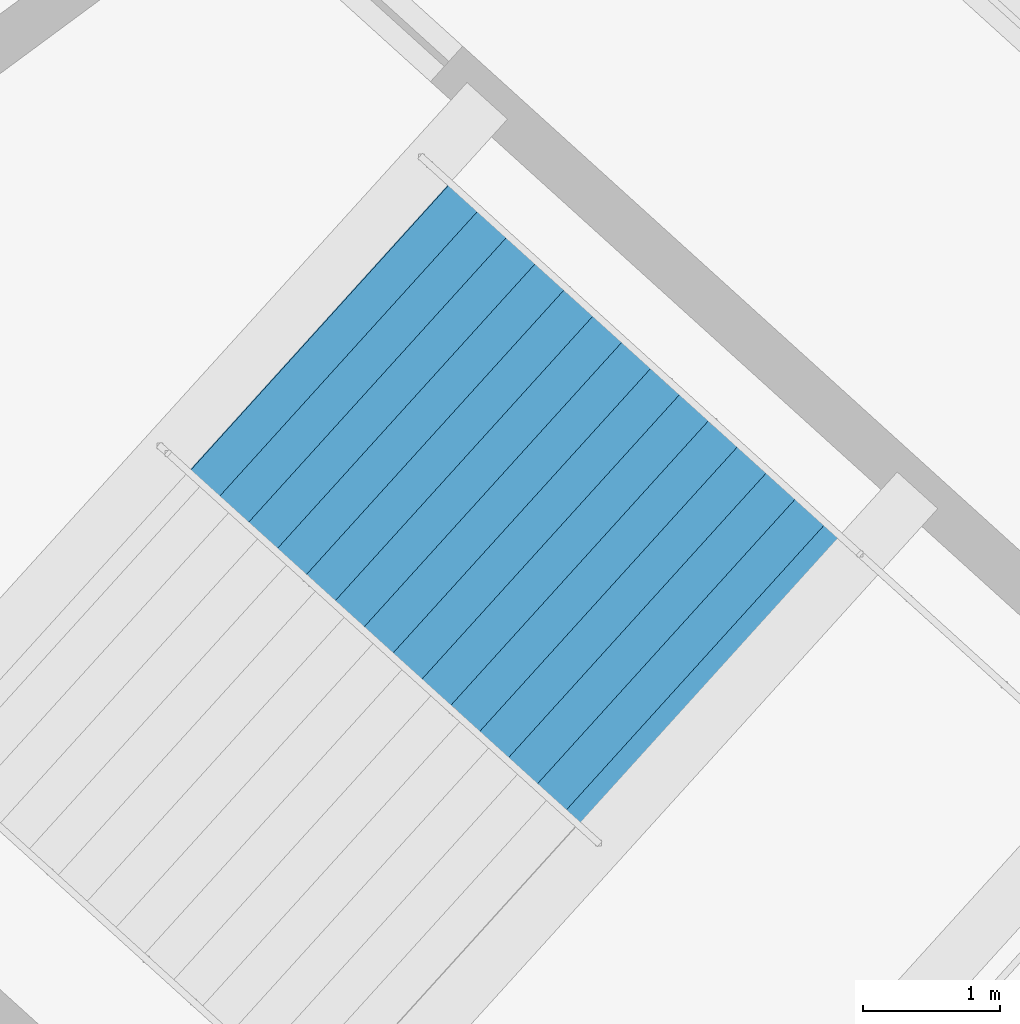
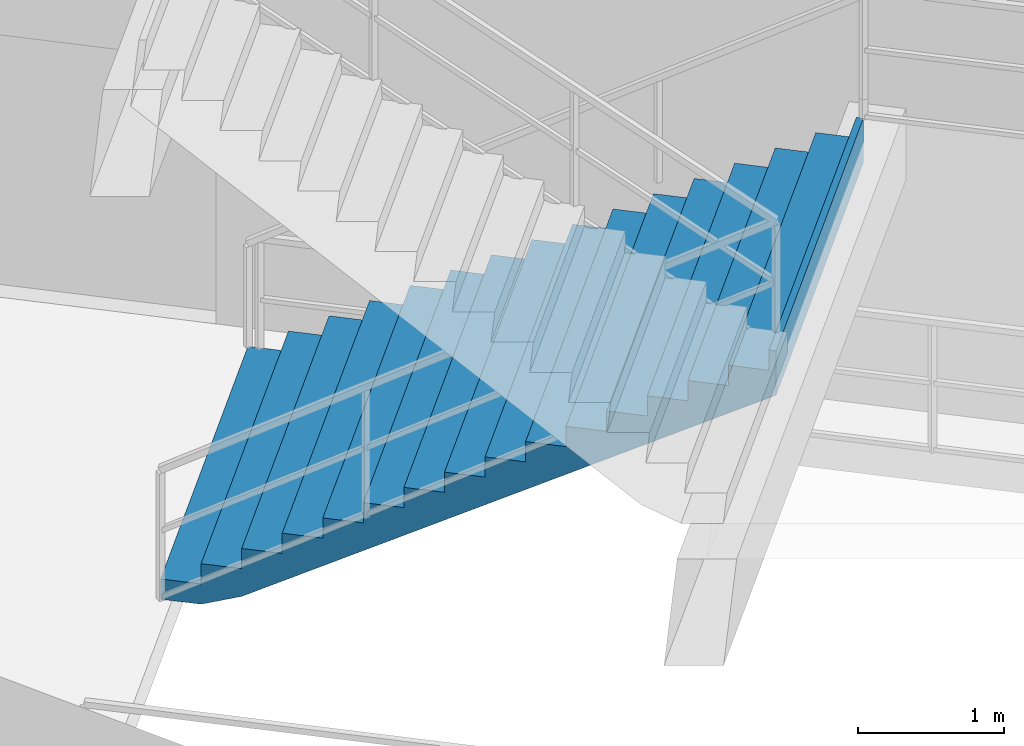
# One storey, part 75 of 86: 1 stair flight, 1 element without a shape of its own.
"""IFC4 building model written with IfcOpenShell, lengths in metres."""

from ifc_helpers import new_model, si_unit, direction, frame, origin, place, context, subcontext, project, spatial, polygons, material, type_object, element, aggregate, save


model = new_model("IFC4")

# Units and contexts
model_context = context("Model", 3, precision=1e-05, world=origin(), true_north=direction((0.0, 1.0)))
body_context = subcontext(model_context, "Body", "Model", "MODEL_VIEW")
ifc_project = project(units=[si_unit("LENGTHUNIT", "METRE"), si_unit("AREAUNIT", "SQUARE_METRE"), si_unit("VOLUMEUNIT", "CUBIC_METRE"), si_unit("PLANEANGLEUNIT", "RADIAN"), si_unit("MASSUNIT", "GRAM", prefix="KILO")], contexts=[model_context])

# Site, building, storey
site_placement = place(None, origin())
site = spatial("IfcSite", under=ifc_project, at=site_placement, CompositionType="ELEMENT")
building_placement = place(site_placement, origin())
building = spatial("IfcBuilding", under=site, at=building_placement, Name="Kazemori Nagisa Stadium", CompositionType="ELEMENT")
storey_placement = place(building_placement, frame((0.0, 0.0, 31.280029296875)))
storey = spatial("IfcBuildingStorey", under=building, at=storey_placement, Name="L06", CompositionType="ELEMENT", Elevation=31.280029296875)

# Stair, stair flight
ifc_material = material(Name="Concrete C36/45 (Fc36)", Category="concrete")
stair_type = type_object("IfcStairType", Name="Stair_CORE_32", PredefinedType="TWO_STRAIGHT_RUN_STAIR", material=ifc_material)
stair_placement = place(storey_placement, origin())
stair = element("IfcStair", 1, at=stair_placement, inside=storey, type_object=stair_type, Name="Exit stair ST03 L06", PredefinedType="TWO_STRAIGHT_RUN_STAIR")
stair_flight_type = type_object("IfcStairFlightType", Name="Flight_CORE_16", PredefinedType="STRAIGHT", material=ifc_material)
stair_flight_placement = place(storey_placement, frame((54.10791015625, 47.6630859375, 0.0), z_axis=(0.0, 0.0, 1.0), x_axis=(0.741354464355, -0.671113670089, 0.0)))
stair_flight = element("IfcStairFlight", 2, at=stair_flight_placement, type_object=stair_flight_type, Name="Exit stair ST03 L06 flight 1", NumberOfRisers=16, NumberOfTreads=15, PredefinedType="STRAIGHT", RiserHeight=0.17, TreadLength=0.285, context=body_context, shape_type="Tessellation", body=[
    polygons([(0.0, -1.425048828125, 0.0), (0.0, -1.425048828125, 0.169921875), (0.284912109375, -1.425048828125, 0.169921875), (0.284912109375, -1.425048828125, 0.340087890625), (0.570068359375, -1.425048828125, 0.340087890625), (0.570068359375, -1.425048828125, 0.510009765625), (0.85498046875, -1.425048828125, 0.510009765625), (0.85498046875, -1.425048828125, 0.679931640625), (1.139892578125, -1.425048828125, 0.679931640625), (1.139892578125, -1.425048828125, 0.85009765625), (1.425048828125, -1.425048828125, 0.85009765625), (1.425048828125, -1.425048828125, 1.02001953125), (1.7099609375, -1.425048828125, 1.02001953125), (1.7099609375, -1.425048828125, 1.18994140625), (1.9951171875, -1.425048828125, 1.18994140625), (1.9951171875, -1.425048828125, 1.360107421875), (2.280029296875, -1.425048828125, 1.360107421875), (2.280029296875, -1.425048828125, 1.530029296875), (2.56494140625, -1.425048828125, 1.530029296875), (2.56494140625, -1.425048828125, 1.699951171875), (2.85009765625, -1.425048828125, 1.699951171875), (2.85009765625, -1.425048828125, 1.8701171875), (3.135009765625, -1.425048828125, 1.8701171875), (3.135009765625, -1.425048828125, 2.0400390625), (3.419921875, -1.425048828125, 2.0400390625), (3.419921875, -1.425048828125, 2.2099609375), (3.705078125, -1.425048828125, 2.2099609375), (3.705078125, -1.425048828125, 2.3798828125), (3.989990234375, -1.425048828125, 2.3798828125), (3.989990234375, -1.425048828125, 2.550048828125), (4.27490234375, -1.425048828125, 2.550048828125), (4.27490234375, -1.425048828125, 2.719970703125), (4.324951171875, -1.425048828125, 2.719970703125), (4.324951171875, -1.425048828125, 2.346923828125), (4.27490234375, -1.425048828125, 2.317138671875), (3.989990234375, -1.425048828125, 2.147216796875), (3.705078125, -1.425048828125, 1.977294921875), (3.419921875, -1.425048828125, 1.80712890625), (3.135009765625, -1.425048828125, 1.63720703125), (2.85009765625, -1.425048828125, 1.46728515625), (2.56494140625, -1.425048828125, 1.297119140625), (2.280029296875, -1.425048828125, 1.127197265625), (1.9951171875, -1.425048828125, 0.957275390625), (1.7099609375, -1.425048828125, 0.787109375), (1.425048828125, -1.425048828125, 0.6171875), (1.139892578125, -1.425048828125, 0.447265625), (0.85498046875, -1.425048828125, 0.277099609375), (0.570068359375, -1.425048828125, 0.107177734375), (0.284912109375, -1.425048828125, 0.0), (0.0, -0.08544921875, 0.0), (0.0, -0.08544921875, 0.169921875), (0.284912109375, -0.08544921875, 0.169921875), (0.284912109375, -0.08544921875, 0.340087890625), (0.570068359375, -0.08544921875, 0.340087890625), (0.570068359375, -0.08544921875, 0.510009765625), (0.85498046875, -0.08544921875, 0.510009765625), (0.85498046875, -0.08544921875, 0.679931640625), (1.139892578125, -0.08544921875, 0.679931640625), (1.139892578125, -0.08544921875, 0.85009765625), (1.425048828125, -0.08544921875, 0.85009765625), (1.425048828125, -0.08544921875, 1.02001953125), (1.7099609375, -0.08544921875, 1.02001953125), (1.7099609375, -0.08544921875, 1.18994140625), (1.9951171875, -0.08544921875, 1.18994140625), (1.9951171875, -0.08544921875, 1.360107421875), (2.280029296875, -0.08544921875, 1.360107421875), (2.280029296875, -0.08544921875, 1.530029296875), (2.56494140625, -0.08544921875, 1.530029296875), (2.56494140625, -0.08544921875, 1.699951171875), (2.85009765625, -0.08544921875, 1.699951171875), (2.85009765625, -0.08544921875, 1.8701171875), (3.135009765625, -0.08544921875, 1.8701171875), (3.135009765625, -0.08544921875, 2.0400390625), (3.419921875, -0.08544921875, 2.0400390625), (3.419921875, -0.08544921875, 2.2099609375), (3.705078125, -0.08544921875, 2.2099609375), (3.705078125, -0.08544921875, 2.3798828125), (3.989990234375, -0.08544921875, 2.3798828125), (3.989990234375, -0.08544921875, 2.550048828125), (4.27490234375, -0.08544921875, 2.550048828125), (4.27490234375, -0.08544921875, 2.719970703125), (4.324951171875, -0.08544921875, 2.719970703125), (4.324951171875, -0.08544921875, 2.346923828125), (4.27490234375, -0.08544921875, 2.317138671875), (3.989990234375, -0.08544921875, 2.147216796875), (3.705078125, -0.08544921875, 1.977294921875), (3.419921875, -0.08544921875, 1.80712890625), (3.135009765625, -0.08544921875, 1.63720703125), (2.85009765625, -0.08544921875, 1.46728515625), (2.56494140625, -0.08544921875, 1.297119140625), (2.280029296875, -0.08544921875, 1.127197265625), (1.9951171875, -0.08544921875, 0.957275390625), (1.7099609375, -0.08544921875, 0.787109375), (1.425048828125, -0.08544921875, 0.6171875), (1.139892578125, -0.08544921875, 0.447265625), (0.85498046875, -0.08544921875, 0.277099609375), (0.570068359375, -0.08544921875, 0.107177734375), (0.284912109375, -0.08544921875, 0.0), (0.0, 0.0, 0.0), (0.0, 0.0, 0.169921875), (0.284912109375, 0.0, 0.169921875), (0.284912109375, 0.0, 0.340087890625), (0.570068359375, 0.0, 0.340087890625), (0.570068359375, 0.0, 0.510009765625), (0.85498046875, 0.0, 0.510009765625), (0.85498046875, 0.0, 0.679931640625), (1.139892578125, 0.0, 0.679931640625), (1.139892578125, 0.0, 0.85009765625), (1.425048828125, 0.0, 0.85009765625), (1.425048828125, 0.0, 1.02001953125), (1.7099609375, 0.0, 1.02001953125), (1.7099609375, 0.0, 1.18994140625), (1.9951171875, 0.0, 1.18994140625), (1.9951171875, 0.0, 1.360107421875), (2.280029296875, 0.0, 1.360107421875), (2.280029296875, 0.0, 1.530029296875), (2.56494140625, 0.0, 1.530029296875), (2.56494140625, 0.0, 1.699951171875), (2.85009765625, 0.0, 1.699951171875), (2.85009765625, 0.0, 1.8701171875), (3.135009765625, 0.0, 1.8701171875), (3.135009765625, 0.0, 2.0400390625), (3.419921875, 0.0, 2.0400390625), (3.419921875, 0.0, 2.2099609375), (3.705078125, 0.0, 2.2099609375), (3.705078125, 0.0, 2.3798828125), (3.989990234375, 0.0, 2.3798828125), (3.989990234375, 0.0, 2.550048828125), (4.27490234375, 0.0, 2.550048828125), (4.27490234375, 0.0, 2.719970703125), (4.324951171875, 0.0, 2.719970703125), (4.324951171875, 0.0, 2.346923828125), (4.27490234375, 0.0, 2.317138671875), (3.989990234375, 0.0, 2.147216796875), (3.705078125, 0.0, 1.977294921875), (3.419921875, 0.0, 1.80712890625), (3.135009765625, 0.0, 1.63720703125), (2.85009765625, 0.0, 1.46728515625), (2.56494140625, 0.0, 1.297119140625), (2.280029296875, 0.0, 1.127197265625), (1.9951171875, 0.0, 0.957275390625), (1.7099609375, 0.0, 0.787109375), (1.425048828125, 0.0, 0.6171875), (1.139892578125, 0.0, 0.447265625), (0.85498046875, 0.0, 0.277099609375), (0.570068359375, 0.0, 0.107177734375), (0.284912109375, 0.0, 0.0), (0.0, 0.08544921875, 0.0), (0.0, 0.08544921875, 0.169921875), (0.284912109375, 0.08544921875, 0.169921875), (0.284912109375, 0.08544921875, 0.340087890625), (0.570068359375, 0.08544921875, 0.340087890625), (0.570068359375, 0.08544921875, 0.510009765625), (0.85498046875, 0.08544921875, 0.510009765625), (0.85498046875, 0.08544921875, 0.679931640625), (1.139892578125, 0.08544921875, 0.679931640625), (1.139892578125, 0.08544921875, 0.85009765625), (1.425048828125, 0.08544921875, 0.85009765625), (1.425048828125, 0.08544921875, 1.02001953125), (1.7099609375, 0.08544921875, 1.02001953125), (1.7099609375, 0.08544921875, 1.18994140625), (1.9951171875, 0.08544921875, 1.18994140625), (1.9951171875, 0.08544921875, 1.360107421875), (2.280029296875, 0.08544921875, 1.360107421875), (2.280029296875, 0.08544921875, 1.530029296875), (2.56494140625, 0.08544921875, 1.530029296875), (2.56494140625, 0.08544921875, 1.699951171875), (2.85009765625, 0.08544921875, 1.699951171875), (2.85009765625, 0.08544921875, 1.8701171875), (3.135009765625, 0.08544921875, 1.8701171875), (3.135009765625, 0.08544921875, 2.0400390625), (3.419921875, 0.08544921875, 2.0400390625), (3.419921875, 0.08544921875, 2.2099609375), (3.705078125, 0.08544921875, 2.2099609375), (3.705078125, 0.08544921875, 2.3798828125), (3.989990234375, 0.08544921875, 2.3798828125), (3.989990234375, 0.08544921875, 2.550048828125), (4.27490234375, 0.08544921875, 2.550048828125), (4.27490234375, 0.08544921875, 2.719970703125), (4.324951171875, 0.08544921875, 2.719970703125), (4.324951171875, 0.08544921875, 2.346923828125), (4.27490234375, 0.08544921875, 2.317138671875), (3.989990234375, 0.08544921875, 2.147216796875), (3.705078125, 0.08544921875, 1.977294921875), (3.419921875, 0.08544921875, 1.80712890625), (3.135009765625, 0.08544921875, 1.63720703125), (2.85009765625, 0.08544921875, 1.46728515625), (2.56494140625, 0.08544921875, 1.297119140625), (2.280029296875, 0.08544921875, 1.127197265625), (1.9951171875, 0.08544921875, 0.957275390625), (1.7099609375, 0.08544921875, 0.787109375), (1.425048828125, 0.08544921875, 0.6171875), (1.139892578125, 0.08544921875, 0.447265625), (0.85498046875, 0.08544921875, 0.277099609375), (0.570068359375, 0.08544921875, 0.107177734375), (0.284912109375, 0.08544921875, 0.0), (0.0, 1.425048828125, 0.0), (0.0, 1.425048828125, 0.169921875), (0.284912109375, 1.425048828125, 0.169921875), (0.284912109375, 1.425048828125, 0.340087890625), (0.570068359375, 1.425048828125, 0.340087890625), (0.570068359375, 1.425048828125, 0.510009765625), (0.85498046875, 1.425048828125, 0.510009765625), (0.85498046875, 1.425048828125, 0.679931640625), (1.139892578125, 1.425048828125, 0.679931640625), (1.139892578125, 1.425048828125, 0.85009765625), (1.425048828125, 1.425048828125, 0.85009765625), (1.425048828125, 1.425048828125, 1.02001953125), (1.7099609375, 1.425048828125, 1.02001953125), (1.7099609375, 1.425048828125, 1.18994140625), (1.9951171875, 1.425048828125, 1.18994140625), (1.9951171875, 1.425048828125, 1.360107421875), (2.280029296875, 1.425048828125, 1.360107421875), (2.280029296875, 1.425048828125, 1.530029296875), (2.56494140625, 1.425048828125, 1.530029296875), (2.56494140625, 1.425048828125, 1.699951171875), (2.85009765625, 1.425048828125, 1.699951171875), (2.85009765625, 1.425048828125, 1.8701171875), (3.135009765625, 1.425048828125, 1.8701171875), (3.135009765625, 1.425048828125, 2.0400390625), (3.419921875, 1.425048828125, 2.0400390625), (3.419921875, 1.425048828125, 2.2099609375), (3.705078125, 1.425048828125, 2.2099609375), (3.705078125, 1.425048828125, 2.3798828125), (3.989990234375, 1.425048828125, 2.3798828125), (3.989990234375, 1.425048828125, 2.550048828125), (4.27490234375, 1.425048828125, 2.550048828125), (4.27490234375, 1.425048828125, 2.719970703125), (4.324951171875, 1.425048828125, 2.719970703125), (4.324951171875, 1.425048828125, 2.346923828125), (4.27490234375, 1.425048828125, 2.317138671875), (3.989990234375, 1.425048828125, 2.147216796875), (3.705078125, 1.425048828125, 1.977294921875), (3.419921875, 1.425048828125, 1.80712890625), (3.135009765625, 1.425048828125, 1.63720703125), (2.85009765625, 1.425048828125, 1.46728515625), (2.56494140625, 1.425048828125, 1.297119140625), (2.280029296875, 1.425048828125, 1.127197265625), (1.9951171875, 1.425048828125, 0.957275390625), (1.7099609375, 1.425048828125, 0.787109375), (1.425048828125, 1.425048828125, 0.6171875), (1.139892578125, 1.425048828125, 0.447265625), (0.85498046875, 1.425048828125, 0.277099609375), (0.570068359375, 1.425048828125, 0.107177734375), (0.284912109375, 1.425048828125, 0.0)], [[[1, 2, 51]], [[1, 51, 50]], [[2, 3, 52]], [[2, 52, 51]], [[3, 4, 53]], [[3, 53, 52]], [[4, 5, 54]], [[4, 54, 53]], [[5, 6, 55]], [[5, 55, 54]], [[6, 7, 56]], [[6, 56, 55]], [[7, 8, 57]], [[7, 57, 56]], [[8, 9, 58]], [[8, 58, 57]], [[9, 10, 59]], [[9, 59, 58]], [[10, 11, 60]], [[10, 60, 59]], [[11, 12, 61]], [[11, 61, 60]], [[12, 13, 62]], [[12, 62, 61]], [[13, 14, 63]], [[13, 63, 62]], [[14, 15, 64]], [[14, 64, 63]], [[15, 16, 65]], [[15, 65, 64]], [[16, 17, 66]], [[16, 66, 65]], [[17, 18, 67]], [[17, 67, 66]], [[18, 19, 68]], [[18, 68, 67]], [[19, 20, 69]], [[19, 69, 68]], [[20, 21, 70]], [[20, 70, 69]], [[21, 22, 71]], [[21, 71, 70]], [[22, 23, 72]], [[22, 72, 71]], [[23, 24, 73]], [[23, 73, 72]], [[24, 25, 74]], [[24, 74, 73]], [[25, 26, 75]], [[25, 75, 74]], [[26, 27, 76]], [[26, 76, 75]], [[27, 28, 77]], [[27, 77, 76]], [[28, 29, 78]], [[28, 78, 77]], [[29, 30, 79]], [[29, 79, 78]], [[30, 31, 80]], [[30, 80, 79]], [[31, 32, 81]], [[31, 81, 80]], [[32, 33, 82]], [[32, 82, 81]], [[33, 34, 83]], [[33, 83, 82]], [[34, 35, 84]], [[34, 84, 83]], [[35, 36, 85]], [[35, 85, 84]], [[36, 37, 86]], [[36, 86, 85]], [[37, 38, 87]], [[37, 87, 86]], [[38, 39, 88]], [[38, 88, 87]], [[39, 40, 89]], [[39, 89, 88]], [[40, 41, 90]], [[40, 90, 89]], [[41, 42, 91]], [[41, 91, 90]], [[42, 43, 92]], [[42, 92, 91]], [[43, 44, 93]], [[43, 93, 92]], [[44, 45, 94]], [[44, 94, 93]], [[45, 46, 95]], [[45, 95, 94]], [[46, 47, 96]], [[46, 96, 95]], [[47, 48, 97]], [[47, 97, 96]], [[48, 49, 98]], [[48, 98, 97]], [[49, 1, 50]], [[49, 50, 98]], [[50, 51, 100]], [[50, 100, 99]], [[51, 52, 101]], [[51, 101, 100]], [[52, 53, 102]], [[52, 102, 101]], [[53, 54, 103]], [[53, 103, 102]], [[54, 55, 104]], [[54, 104, 103]], [[55, 56, 105]], [[55, 105, 104]], [[56, 57, 106]], [[56, 106, 105]], [[57, 58, 107]], [[57, 107, 106]], [[58, 59, 108]], [[58, 108, 107]], [[59, 60, 109]], [[59, 109, 108]], [[60, 61, 110]], [[60, 110, 109]], [[61, 62, 111]], [[61, 111, 110]], [[62, 63, 112]], [[62, 112, 111]], [[63, 64, 113]], [[63, 113, 112]], [[64, 65, 114]], [[64, 114, 113]], [[65, 66, 115]], [[65, 115, 114]], [[66, 67, 116]], [[66, 116, 115]], [[67, 68, 117]], [[67, 117, 116]], [[68, 69, 118]], [[68, 118, 117]], [[69, 70, 119]], [[69, 119, 118]], [[70, 71, 120]], [[70, 120, 119]], [[71, 72, 121]], [[71, 121, 120]], [[72, 73, 122]], [[72, 122, 121]], [[73, 74, 123]], [[73, 123, 122]], [[74, 75, 124]], [[74, 124, 123]], [[75, 76, 125]], [[75, 125, 124]], [[76, 77, 126]], [[76, 126, 125]], [[77, 78, 127]], [[77, 127, 126]], [[78, 79, 128]], [[78, 128, 127]], [[79, 80, 129]], [[79, 129, 128]], [[80, 81, 130]], [[80, 130, 129]], [[81, 82, 131]], [[81, 131, 130]], [[82, 83, 132]], [[82, 132, 131]], [[83, 84, 133]], [[83, 133, 132]], [[84, 85, 134]], [[84, 134, 133]], [[85, 86, 135]], [[85, 135, 134]], [[86, 87, 136]], [[86, 136, 135]], [[87, 88, 137]], [[87, 137, 136]], [[88, 89, 138]], [[88, 138, 137]], [[89, 90, 139]], [[89, 139, 138]], [[90, 91, 140]], [[90, 140, 139]], [[91, 92, 141]], [[91, 141, 140]], [[92, 93, 142]], [[92, 142, 141]], [[93, 94, 143]], [[93, 143, 142]], [[94, 95, 144]], [[94, 144, 143]], [[95, 96, 145]], [[95, 145, 144]], [[96, 97, 146]], [[96, 146, 145]], [[97, 98, 147]], [[97, 147, 146]], [[98, 50, 99]], [[98, 99, 147]], [[99, 100, 149]], [[99, 149, 148]], [[100, 101, 150]], [[100, 150, 149]], [[101, 102, 151]], [[101, 151, 150]], [[102, 103, 152]], [[102, 152, 151]], [[103, 104, 153]], [[103, 153, 152]], [[104, 105, 154]], [[104, 154, 153]], [[105, 106, 155]], [[105, 155, 154]], [[106, 107, 156]], [[106, 156, 155]], [[107, 108, 157]], [[107, 157, 156]], [[108, 109, 158]], [[108, 158, 157]], [[109, 110, 159]], [[109, 159, 158]], [[110, 111, 160]], [[110, 160, 159]], [[111, 112, 161]], [[111, 161, 160]], [[112, 113, 162]], [[112, 162, 161]], [[113, 114, 163]], [[113, 163, 162]], [[114, 115, 164]], [[114, 164, 163]], [[115, 116, 165]], [[115, 165, 164]], [[116, 117, 166]], [[116, 166, 165]], [[117, 118, 167]], [[117, 167, 166]], [[118, 119, 168]], [[118, 168, 167]], [[119, 120, 169]], [[119, 169, 168]], [[120, 121, 170]], [[120, 170, 169]], [[121, 122, 171]], [[121, 171, 170]], [[122, 123, 172]], [[122, 172, 171]], [[123, 124, 173]], [[123, 173, 172]], [[124, 125, 174]], [[124, 174, 173]], [[125, 126, 175]], [[125, 175, 174]], [[126, 127, 176]], [[126, 176, 175]], [[127, 128, 177]], [[127, 177, 176]], [[128, 129, 178]], [[128, 178, 177]], [[129, 130, 179]], [[129, 179, 178]], [[130, 131, 180]], [[130, 180, 179]], [[131, 132, 181]], [[131, 181, 180]], [[132, 133, 182]], [[132, 182, 181]], [[133, 134, 183]], [[133, 183, 182]], [[134, 135, 184]], [[134, 184, 183]], [[135, 136, 185]], [[135, 185, 184]], [[136, 137, 186]], [[136, 186, 185]], [[137, 138, 187]], [[137, 187, 186]], [[138, 139, 188]], [[138, 188, 187]], [[139, 140, 189]], [[139, 189, 188]], [[140, 141, 190]], [[140, 190, 189]], [[141, 142, 191]], [[141, 191, 190]], [[142, 143, 192]], [[142, 192, 191]], [[143, 144, 193]], [[143, 193, 192]], [[144, 145, 194]], [[144, 194, 193]], [[145, 146, 195]], [[145, 195, 194]], [[146, 147, 196]], [[146, 196, 195]], [[147, 99, 148]], [[147, 148, 196]], [[148, 149, 198]], [[148, 198, 197]], [[149, 150, 199]], [[149, 199, 198]], [[150, 151, 200]], [[150, 200, 199]], [[151, 152, 201]], [[151, 201, 200]], [[152, 153, 202]], [[152, 202, 201]], [[153, 154, 203]], [[153, 203, 202]], [[154, 155, 204]], [[154, 204, 203]], [[155, 156, 205]], [[155, 205, 204]], [[156, 157, 206]], [[156, 206, 205]], [[157, 158, 207]], [[157, 207, 206]], [[158, 159, 208]], [[158, 208, 207]], [[159, 160, 209]], [[159, 209, 208]], [[160, 161, 210]], [[160, 210, 209]], [[161, 162, 211]], [[161, 211, 210]], [[162, 163, 212]], [[162, 212, 211]], [[163, 164, 213]], [[163, 213, 212]], [[164, 165, 214]], [[164, 214, 213]], [[165, 166, 215]], [[165, 215, 214]], [[166, 167, 216]], [[166, 216, 215]], [[167, 168, 217]], [[167, 217, 216]], [[168, 169, 218]], [[168, 218, 217]], [[169, 170, 219]], [[169, 219, 218]], [[170, 171, 220]], [[170, 220, 219]], [[171, 172, 221]], [[171, 221, 220]], [[172, 173, 222]], [[172, 222, 221]], [[173, 174, 223]], [[173, 223, 222]], [[174, 175, 224]], [[174, 224, 223]], [[175, 176, 225]], [[175, 225, 224]], [[176, 177, 226]], [[176, 226, 225]], [[177, 178, 227]], [[177, 227, 226]], [[178, 179, 228]], [[178, 228, 227]], [[179, 180, 229]], [[179, 229, 228]], [[180, 181, 230]], [[180, 230, 229]], [[181, 182, 231]], [[181, 231, 230]], [[182, 183, 232]], [[182, 232, 231]], [[183, 184, 233]], [[183, 233, 232]], [[184, 185, 234]], [[184, 234, 233]], [[185, 186, 235]], [[185, 235, 234]], [[186, 187, 236]], [[186, 236, 235]], [[187, 188, 237]], [[187, 237, 236]], [[188, 189, 238]], [[188, 238, 237]], [[189, 190, 239]], [[189, 239, 238]], [[190, 191, 240]], [[190, 240, 239]], [[191, 192, 241]], [[191, 241, 240]], [[192, 193, 242]], [[192, 242, 241]], [[193, 194, 243]], [[193, 243, 242]], [[194, 195, 244]], [[194, 244, 243]], [[195, 196, 245]], [[195, 245, 244]], [[196, 148, 197]], [[196, 197, 245]], [[3, 2, 1]], [[197, 198, 199]], [[49, 3, 1]], [[197, 199, 245]], [[48, 3, 49]], [[245, 199, 244]], [[5, 3, 48]], [[244, 199, 201]], [[5, 4, 3]], [[199, 200, 201]], [[47, 5, 48]], [[244, 201, 243]], [[7, 5, 47]], [[243, 201, 203]], [[7, 6, 5]], [[201, 202, 203]], [[46, 7, 47]], [[243, 203, 242]], [[9, 7, 46]], [[242, 203, 205]], [[9, 8, 7]], [[203, 204, 205]], [[45, 9, 46]], [[242, 205, 241]], [[11, 9, 45]], [[241, 205, 207]], [[11, 10, 9]], [[205, 206, 207]], [[44, 11, 45]], [[241, 207, 240]], [[13, 11, 44]], [[240, 207, 209]], [[13, 12, 11]], [[207, 208, 209]], [[43, 13, 44]], [[240, 209, 239]], [[15, 13, 43]], [[239, 209, 211]], [[15, 14, 13]], [[209, 210, 211]], [[42, 15, 43]], [[239, 211, 238]], [[17, 15, 42]], [[238, 211, 213]], [[17, 16, 15]], [[211, 212, 213]], [[41, 17, 42]], [[238, 213, 237]], [[19, 17, 41]], [[237, 213, 215]], [[19, 18, 17]], [[213, 214, 215]], [[40, 19, 41]], [[237, 215, 236]], [[21, 19, 40]], [[236, 215, 217]], [[21, 20, 19]], [[215, 216, 217]], [[39, 21, 40]], [[236, 217, 235]], [[23, 21, 39]], [[235, 217, 219]], [[23, 22, 21]], [[217, 218, 219]], [[38, 23, 39]], [[235, 219, 234]], [[25, 23, 38]], [[234, 219, 221]], [[25, 24, 23]], [[219, 220, 221]], [[37, 25, 38]], [[234, 221, 233]], [[27, 25, 37]], [[233, 221, 223]], [[27, 26, 25]], [[221, 222, 223]], [[36, 27, 37]], [[233, 223, 232]], [[29, 27, 36]], [[232, 223, 225]], [[29, 28, 27]], [[223, 224, 225]], [[35, 29, 36]], [[232, 225, 231]], [[31, 29, 35]], [[231, 225, 227]], [[31, 30, 29]], [[225, 226, 227]], [[34, 31, 35]], [[231, 227, 230]], [[33, 31, 34]], [[230, 227, 229]], [[33, 32, 31]], [[227, 228, 229]]], closed=True),
])
aggregate(stair, [stair_flight])

save(model, "model.ifc")
